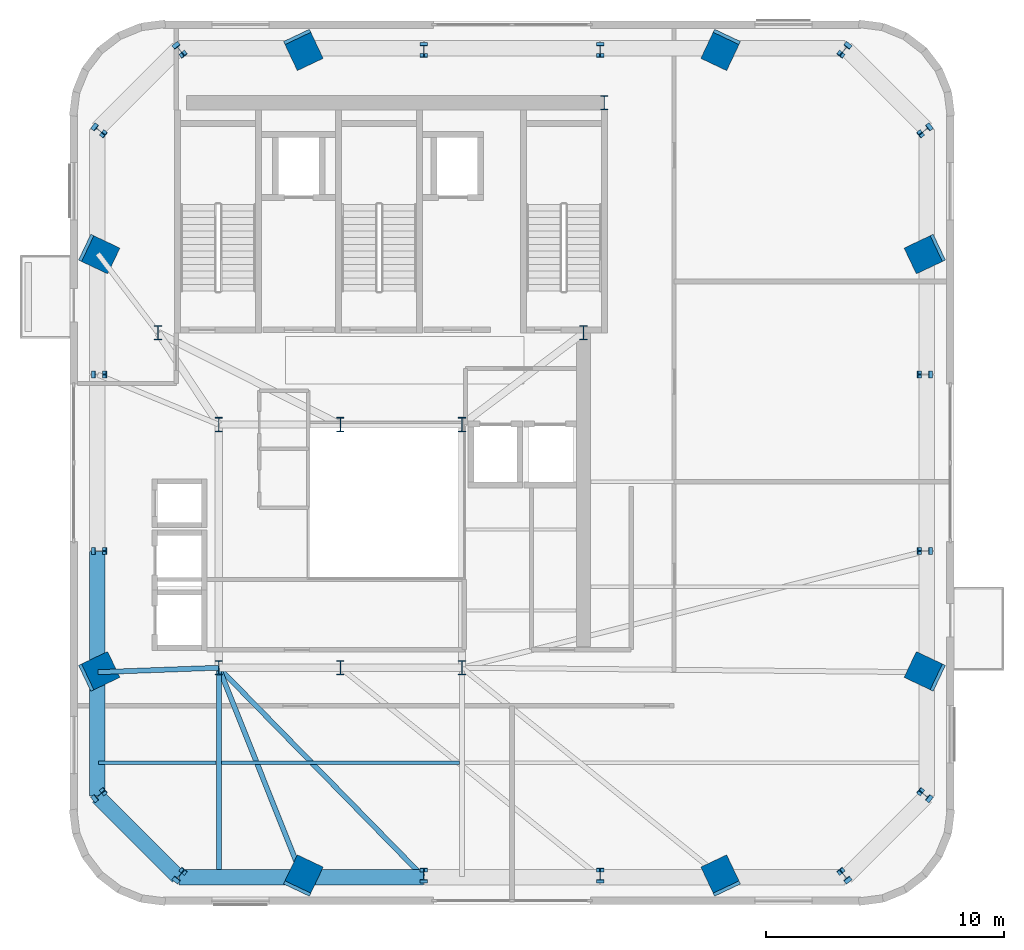
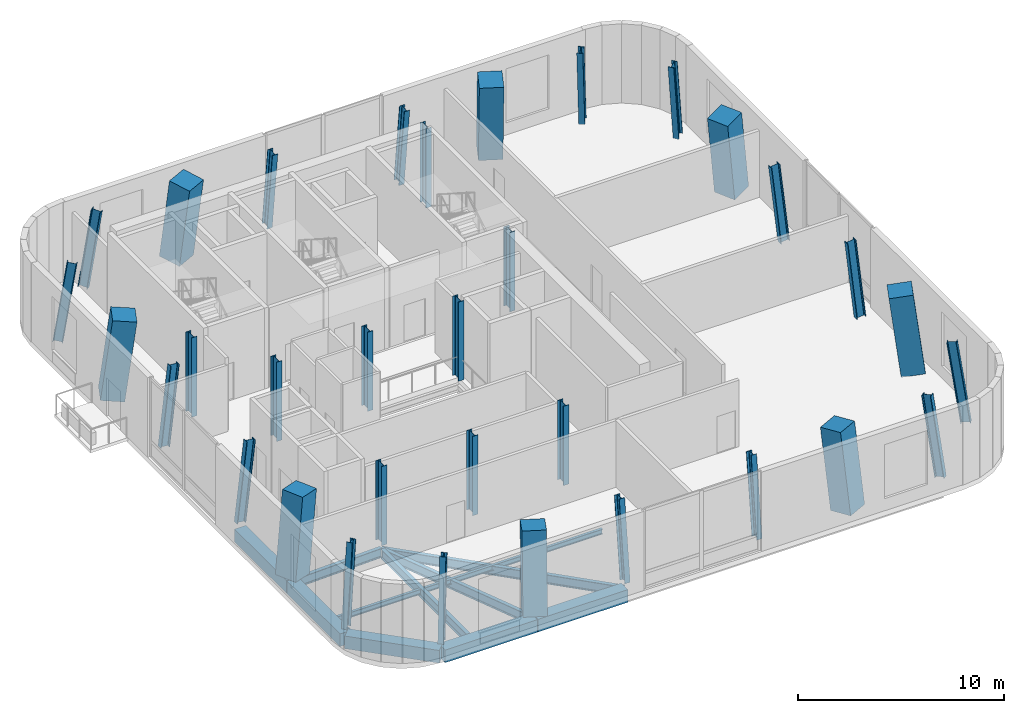
# One storey, part 1 of 10: 33 columns, 11 beams.
"""IFC4 building model written with IfcOpenShell, lengths in metres."""

import ifcopenshell
import ifcopenshell.guid

model = None  # the IFC model being written
_history = None  # IfcOwnerHistory: only IFC2X3 demands one
_inside = {}  # id of a spatial element -> (the spatial element, [elements in it])
_under = {}  # id of a project, library or spatial element -> (it, [spatial elements below it])
_declared = {}  # id of a project -> (the project, [libraries it declares])
_typed = {}  # id of a type object -> (the type object, [elements of that type])
_made_of = {}  # id of a material, layer set ... -> (it, [elements and type objects made of it])


def new_model(schema):
    """Start an empty IFC model of exactly this schema.

    Asked for "IFC4X3", IfcOpenShell would pick the latest addendum, in which some entities
    have other attributes; the version numbers below select the first issue.
    IFC2X3 requires an IfcOwnerHistory on every rooted entity: one is made here for all.
    """
    global model, _history
    if schema == "IFC4X3":
        model = ifcopenshell.file(schema_version=(4, 3, 0, 0))
    else:
        model = ifcopenshell.file(schema=schema)
    _inside.clear()
    _under.clear()
    _declared.clear()
    _typed.clear()
    _made_of.clear()
    _history = None
    if model.schema == "IFC2X3":
        org = make("IfcOrganization", Name="unknown")
        user = make(
            "IfcPersonAndOrganization",
            ThePerson=make("IfcPerson", FamilyName="unknown"),
            TheOrganization=org,
        )
        app = make(
            "IfcApplication",
            ApplicationDeveloper=org,
            Version="unknown",
            ApplicationFullName="unknown",
            ApplicationIdentifier="unknown",
        )
        _history = make(
            "IfcOwnerHistory",
            OwningUser=user,
            OwningApplication=app,
            ChangeAction="ADDED",
            CreationDate=0,
        )
    return model


def make(cls, **values):
    """One entity of the class cls with the attributes given. An attribute that is None is left unset."""
    return model.create_entity(
        cls, **{name: value for name, value in values.items() if value is not None}
    )


def rooted(cls, **values):
    """An entity with a GlobalId (a new one), such as an element, a storey or a relation."""
    return make(cls, GlobalId=ifcopenshell.guid.new(), OwnerHistory=_history, **values)


def si_unit(unit_type, name, prefix=None):
    """IfcSIUnit, for example si_unit("LENGTHUNIT", "METRE", prefix="MILLI")."""
    return make("IfcSIUnit", UnitType=unit_type, Prefix=prefix, Name=name)


def assignment(units):
    """IfcUnitAssignment: the units of a project."""
    return None if units is None else make("IfcUnitAssignment", Units=units)


def point(xyz):
    """IfcCartesianPoint."""
    return None if xyz is None else make("IfcCartesianPoint", Coordinates=xyz)


def direction(xyz):
    """IfcDirection."""
    return None if xyz is None else make("IfcDirection", DirectionRatios=xyz)


def frame(location, z_axis=None, x_axis=None):
    """IfcAxis2Placement3D, a coordinate frame: its origin and axes. An axis left out is left unset."""
    return make(
        "IfcAxis2Placement3D",
        Location=point(location),
        Axis=direction(z_axis),
        RefDirection=direction(x_axis),
    )


def frame_2d(location, x_axis=None):
    """IfcAxis2Placement2D, a coordinate frame in the plane: its origin and x axis."""
    return make(
        "IfcAxis2Placement2D", Location=point(location), RefDirection=direction(x_axis)
    )


def origin():
    """The frame at (0, 0, 0) with its axes left unset."""
    return frame((0.0, 0.0, 0.0))


def origin_2d():
    """The frame at (0, 0) in the plane with its x axis left unset."""
    return frame_2d((0.0, 0.0))


def place(relative_to, where):
    """IfcLocalPlacement: puts the frame where relative to a parent placement (None: the world)."""
    return make(
        "IfcLocalPlacement", PlacementRelTo=relative_to, RelativePlacement=where
    )


def context(
    kind, dimensions, precision=None, world=None, true_north=None, identifier=None
):
    """IfcGeometricRepresentationContext, for example the 3D "Model" context."""
    return make(
        "IfcGeometricRepresentationContext",
        ContextIdentifier=identifier,
        ContextType=kind,
        CoordinateSpaceDimension=dimensions,
        Precision=precision,
        WorldCoordinateSystem=world,
        TrueNorth=true_north,
    )


def subcontext(parent, identifier, kind, view, scale=None):
    """IfcGeometricRepresentationSubContext, for example "Body" below "Model"."""
    return make(
        "IfcGeometricRepresentationSubContext",
        ContextIdentifier=identifier,
        ContextType=kind,
        ParentContext=parent,
        TargetScale=scale,
        TargetView=view,
    )


def project(units=None, contexts=None):
    """IfcProject with its units and contexts."""
    return rooted(
        "IfcProject",
        Name="project",
        RepresentationContexts=contexts,
        UnitsInContext=assignment(units),
    )


def spatial(cls, under=None, at=None, **own):
    """A site, building, storey or space (cls), placed at a placement, below another one or the project."""
    s = rooted(cls, ObjectPlacement=at, **own)
    if under is not None:
        _under.setdefault(under.id(), (under, []))[1].append(s)
    return s


def profile(cls, at=None, kind="AREA", **sizes):
    """A parametric profile (cls). Its sizes go by their IFC names, for example OverallWidth=200.0."""
    return make(cls, ProfileType=kind, Position=at, **sizes)


def rectangle(**sizes):
    """IfcRectangleProfileDef."""
    return profile("IfcRectangleProfileDef", **sizes)


def i_section(**sizes):
    """IfcIShapeProfileDef."""
    return profile("IfcIShapeProfileDef", **sizes)


def extrude(swept, where, along, depth):
    """IfcExtrudedAreaSolid: the profile swept, set in the frame where, extruded along a direction by depth."""
    return make(
        "IfcExtrudedAreaSolid",
        SweptArea=swept,
        Position=where,
        ExtrudedDirection=direction(along),
        Depth=depth,
    )


def shape(context_of_items, identifier, shape_type, items):
    """IfcShapeRepresentation: the items that make up one representation, for example the "Body"."""
    return make(
        "IfcShapeRepresentation",
        ContextOfItems=context_of_items,
        RepresentationIdentifier=identifier,
        RepresentationType=shape_type,
        Items=items,
    )


def source(mapping_origin, context_of_items, identifier, shape_type, items):
    """IfcRepresentationMap: a shape defined once, which mapped items show again and again."""
    return make(
        "IfcRepresentationMap",
        MappingOrigin=mapping_origin,
        MappedRepresentation=shape(context_of_items, identifier, shape_type, items),
    )


def transform(
    local_origin,
    x_axis=None,
    y_axis=None,
    z_axis=None,
    scale=None,
    scale2=None,
    scale3=None,
    uniform=True,
):
    """IfcCartesianTransformationOperator3D, or its non-uniform kind. x_axis, y_axis, z_axis: its Axis1, 2, 3."""
    if uniform:
        return make(
            "IfcCartesianTransformationOperator3D",
            Axis1=direction(x_axis),
            Axis2=direction(y_axis),
            LocalOrigin=point(local_origin),
            Scale=scale,
            Axis3=direction(z_axis),
        )
    return make(
        "IfcCartesianTransformationOperator3DnonUniform",
        Axis1=direction(x_axis),
        Axis2=direction(y_axis),
        LocalOrigin=point(local_origin),
        Scale=scale,
        Axis3=direction(z_axis),
        Scale2=scale2,
        Scale3=scale3,
    )


def mapped(mapping_source, mapping_target):
    """IfcMappedItem: shows the shape of a source again, moved by a transform."""
    return make(
        "IfcMappedItem", MappingSource=mapping_source, MappingTarget=mapping_target
    )


def material(Name=None, Category=None):
    """IfcMaterial."""
    return make("IfcMaterial", Name=Name, Category=Category)


def material_profile(
    of_material, cross_section, Name=None, Category=None, Priority=None
):
    """IfcMaterialProfile: a cross section and its material."""
    return make(
        "IfcMaterialProfile",
        Name=Name,
        Material=of_material,
        Profile=cross_section,
        Priority=Priority,
        Category=Category,
    )


def profile_set(profiles, Name=None, composite=None):
    """IfcMaterialProfileSet."""
    return make(
        "IfcMaterialProfileSet",
        Name=Name,
        MaterialProfiles=profiles,
        CompositeProfile=composite,
    )


def made_of(thing, what):
    """Note that an element or type object is made of a material, layer set ...; save() writes the relation."""
    if what is not None:
        _made_of.setdefault(what.id(), (what, []))[1].append(thing)
    return thing


def type_object(cls, material=None, **own):
    """A type object (cls), such as IfcWallType, which elements share."""
    return made_of(rooted(cls, **own), material)


def element(
    cls,
    number,
    at=None,
    inside=None,
    cuts=None,
    type_object=None,
    material=None,
    context=None,
    identifier="Body",
    shape_type=None,
    held_by="IfcProductDefinitionShape",
    body=None,
    shapes=None,
    **own,
):
    """One element of the class cls, such as IfcWall. Its Tag is "e" and its number.

    at: its placement. inside: the storey or other place that contains it. cuts: it is an
    opening in that element (IfcRelVoidsElement). A single representation is given by context,
    identifier, shape_type and body (its items); several are given by shapes. held_by: the class
    of the entity that holds the representations. save() writes the other relations.
    """
    e = rooted(cls, Tag="e%d" % number, ObjectPlacement=at, **own)
    if body is not None:
        shapes = [shape(context, identifier, shape_type, body)]
    if shapes is not None:
        e.Representation = make(held_by, Representations=shapes)
    if inside is not None:
        _inside.setdefault(inside.id(), (inside, []))[1].append(e)
    if cuts is not None:
        rooted(
            "IfcRelVoidsElement", RelatingBuildingElement=cuts, RelatedOpeningElement=e
        )
    if type_object is not None:
        _typed.setdefault(type_object.id(), (type_object, []))[1].append(e)
    return made_of(e, material)


def aggregate(whole, parts):
    """IfcRelAggregates: a whole, such as a stair, and the parts it consists of."""
    return rooted("IfcRelAggregates", RelatingObject=whole, RelatedObjects=parts)


def save(model, path):
    """Write the relations noted so far, then the file.

    IfcRelAggregates (storeys below a building ...), IfcRelContainedInSpatialStructure (elements
    in a storey), IfcRelDefinesByType, IfcRelAssociatesMaterial and IfcRelDeclares: one each for
    every whole, place, type object, material and project.
    """
    for whole, parts in _under.values():
        aggregate(whole, parts)
    for where, things in _inside.values():
        rooted(
            "IfcRelContainedInSpatialStructure",
            RelatedElements=things,
            RelatingStructure=where,
        )
    for kind, things in _typed.values():
        rooted("IfcRelDefinesByType", RelatedObjects=things, RelatingType=kind)
    for what, things in _made_of.values():
        rooted("IfcRelAssociatesMaterial", RelatedObjects=things, RelatingMaterial=what)
    for by, libraries in _declared.values():
        rooted("IfcRelDeclares", RelatingContext=by, RelatedDefinitions=libraries)
    model.write(path)


model = new_model("IFC4")

# Units and contexts
model_context = context("Model", 3, precision=1e-05, world=origin(), true_north=direction((0.0, 1.0)))
body_context = subcontext(model_context, "Body", "Model", "MODEL_VIEW")
ifc_project = project(units=[si_unit("LENGTHUNIT", "METRE"), si_unit("AREAUNIT", "SQUARE_METRE"), si_unit("VOLUMEUNIT", "CUBIC_METRE"), si_unit("PLANEANGLEUNIT", "RADIAN"), si_unit("MASSUNIT", "GRAM", prefix="KILO")], contexts=[model_context])

# Site, building, storey
site_placement = place(None, origin())
site = spatial("IfcSite", under=ifc_project, at=site_placement, CompositionType="ELEMENT")
building_placement = place(site_placement, origin())
building = spatial("IfcBuilding", under=site, at=building_placement, Name="Vardaveli Station Tower", CompositionType="ELEMENT")
storey_placement = place(building_placement, frame((0.0, 0.0, 291.14990234375)))
storey = spatial("IfcBuildingStorey", under=building, at=storey_placement, Name="L74", CompositionType="ELEMENT", Elevation=291.14990234375)

# Columns
ifc_material_1 = material(Name="Structural steel S460M", Category="steel")
ifc_material_profile_1 = material_profile(ifc_material_1, i_section(OverallWidth=0.300048828125, OverallDepth=0.60009765625, WebThickness=0.015380859375, FlangeThickness=0.030029296875, FilletRadius=0.027099609375, at=origin_2d()), Name="HEB 600")
ifc_profile_set_1 = profile_set([ifc_material_profile_1], Name="Structural steel S460M")
column_type_1 = type_object("IfcColumnType", Name="COL-HEB600", PredefinedType="COLUMN", material=ifc_profile_set_1)
shared_shape_1 = source(origin(), body_context, "Body", "SweptSolid", [
    extrude(i_section(OverallWidth=0.300048828125, OverallDepth=0.60009765625, WebThickness=0.015380859375, FlangeThickness=0.030029296875, FilletRadius=0.027099609375, at=origin_2d()), origin(), (0.0, 0.0, 1.0), 4.7001953125),
])
for number, where, z_axis, x_axis, name in (
    (1, (31.199951171875, 16.60009765625, 0.0), (0.0, 0.0, 1.0), (1.0, 0.0, 0.0), "COL-L74-AC1"),
    (2, (36.300048828125, 16.60009765625, 0.0), (0.0, 0.0, 1.0), (1.0, 0.0, 0.0), "COL-L74-AC2"),
    (3, (41.39990234375, 16.60009765625, 0.0), (0.0, 0.0, 1.0), (1.0, 0.0, 0.0), "COL-L74-AC3"),
    (4, (41.39990234375, 26.800048828125, 0.0), (0.0, 0.0, 1.0), (1.0, 0.0, 0.0), "COL-L74-AC4"),
    (5, (36.300048828125, 26.800048828125, 0.0), (0.0, 0.0, 1.0), (1.0, 0.0, 0.0), "COL-L74-AC5"),
    (6, (31.199951171875, 26.800048828125, 0.0), (0.0, 0.0, 1.0), (1.0, 0.0, 0.0), "COL-L74-AC6"),
    (7, (28.64990234375, 30.64990234375, 0.0), (0.0, 0.0, 1.0), (1.0, 0.0, 0.0), "COL-L74-CC1"),
    (8, (46.5, 30.64990234375, 0.0), (0.0, 0.0, 1.0), (1.0, 0.0, 0.0), "COL-L74-CC2"),
    (9, (47.3701171875, 40.300048828125, 0.0), (0.0, 0.0, 1.0), (1.0, 0.0, 0.0), "COL-L74-CC3"),
):
    element("IfcColumn", number, at=place(storey_placement, frame(where, z_axis=z_axis, x_axis=x_axis)), inside=storey, type_object=column_type_1, Name=name, PredefinedType="COLUMN", context=body_context, shape_type="MappedRepresentation", body=[
        mapped(shared_shape_1, transform((0.0, 0.0, 0.0), scale=1.0)),
    ])
ifc_material_2 = material(Name="Concrete C50/60", Category="concrete")
ifc_material_profile_2 = material_profile(ifc_material_2, rectangle(XDim=1.199951171875, YDim=1.199951171875, at=origin_2d()), Name="MC 1200x1200")
ifc_profile_set_2 = profile_set([ifc_material_profile_2], Name="Concrete C50/60")
column_type_2 = type_object("IfcColumnType", Name="COL-MC-1200", PredefinedType="COLUMN", material=ifc_profile_set_2)
shared_shape_2 = source(origin(), body_context, "Body", "SweptSolid", [
    extrude(rectangle(XDim=1.199951171875, YDim=1.199951171875, at=origin_2d()), origin(), (0.0, 0.0, 1.0), 4.738037109375),
])
for number, where, z_axis, x_axis, name in (
    (10, (34.7119140625, 7.81005859375, 0.0), (0.054052575301, 0.113979310359, 0.992011610775), (-0.903546449333, 0.428490156126, 0.0), "COL-L74-MC1"),
    (11, (52.2880859375, 7.81005859375, 0.0), (-0.054052575301, 0.113979310359, 0.992011610775), (-0.903546449333, -0.428490156126, 0.0), "COL-L74-MC2"),
    (12, (60.889892578125, 16.411865234375, 0.0), (-0.113928451605, 0.054052892688, 0.992017435687), (-0.428648353392, -0.903471410247, 0.0), "COL-L74-MC3"),
    (13, (60.889892578125, 33.98828125, 0.0), (-0.113928134137, -0.054104269943, 0.992014671376), (0.428981810806, -0.903313127325, 0.0), "COL-L74-MC4"),
    (14, (52.2880859375, 42.590087890625, 0.0), (-0.054052575301, -0.113979310359, 0.992011610775), (0.903546449333, -0.428490156126, 0.0), "COL-L74-MC5"),
    (15, (34.7119140625, 42.590087890625, 0.0), (0.054052575301, -0.113979310359, 0.992011610775), (0.903546449333, 0.428490156126, 0.0), "COL-L74-MC6"),
    (16, (26.110107421875, 33.98828125, 0.0), (0.113928134137, -0.054104269943, 0.992014671376), (0.428981810806, 0.903313127325, 0.0), "COL-L74-MC7"),
    (17, (26.110107421875, 16.411865234375, 0.0), (0.113928451605, 0.054052892688, 0.992017435687), (-0.428648353392, 0.903471410247, 0.0), "COL-L74-MC8"),
):
    element("IfcColumn", number, at=place(storey_placement, frame(where, z_axis=z_axis, x_axis=x_axis)), inside=storey, type_object=column_type_2, Name=name, PredefinedType="COLUMN", context=body_context, shape_type="MappedRepresentation", body=[
        mapped(shared_shape_2, transform((0.0, 0.0, 0.0), scale=1.0)),
    ])
ifc_material_3 = material(Name="Structural steel S355J2", Category="steel")
ifc_material_profile_3 = material_profile(ifc_material_3, i_section(OverallWidth=0.300048828125, OverallDepth=0.5, WebThickness=0.014404296875, FlangeThickness=0.028076171875, FilletRadius=0.027099609375, at=origin_2d()), Name="HEB 500")
ifc_profile_set_3 = profile_set([ifc_material_profile_3], Name="Structural steel S355J2")
column_type_3 = type_object("IfcColumnType", Name="COL-HEB500", PredefinedType="COLUMN", material=ifc_profile_set_3)
shared_shape_3 = source(origin(), body_context, "Body", "SweptSolid", [
    extrude(i_section(OverallWidth=0.300048828125, OverallDepth=0.5, WebThickness=0.014404296875, FlangeThickness=0.028076171875, FilletRadius=0.027099609375, at=origin_2d()), origin(), (0.0, 0.0, 1.0), 4.750244140625),
])
for number, where, z_axis, x_axis, name in (
    (18, (29.5029296875, 7.81005859375, 0.0), (0.089888557106, 0.113684098524, 0.989442253517), (-0.784419603895, 0.620230509589, 0.0), "COL-L74-PC01"),
    (19, (57.4970703125, 7.81005859375, 0.0), (-0.089888557106, 0.113684098524, 0.989442253517), (-0.784419603895, -0.620230509589, 0.0), "COL-L74-PC04"),
    (20, (60.889892578125, 11.202880859375, 0.0), (-0.113633368044, 0.089889082184, 0.989448033285), (-0.620403072684, -0.784283129619, 0.0), "COL-L74-PC05"),
    (21, (60.889892578125, 39.197021484375, 0.0), (-0.113633368044, -0.089889082184, 0.989448033285), (0.620403072684, -0.784283129619, 0.0), "COL-L74-PC08"),
    (22, (57.4970703125, 42.590087890625, 0.0), (-0.089888557106, -0.113684098524, 0.989442253517), (0.784419603895, -0.620230509589, 0.0), "COL-L74-PC09"),
    (23, (29.5029296875, 42.590087890625, 0.0), (0.089888557106, -0.113684098524, 0.989442253517), (0.784419603895, 0.620230509589, 0.0), "COL-L74-PC12"),
    (24, (26.110107421875, 39.197021484375, 0.0), (0.113633368044, -0.089889082184, 0.989448033285), (0.620403072684, 0.784283129619, 0.0), "COL-L74-PC13"),
    (25, (26.110107421875, 11.202880859375, 0.0), (0.113633368044, 0.089889082184, 0.989448033285), (-0.620403072684, 0.784283129619, 0.0), "COL-L74-PC16"),
):
    element("IfcColumn", number, at=place(storey_placement, frame(where, z_axis=z_axis, x_axis=x_axis)), inside=storey, type_object=column_type_3, Name=name, PredefinedType="COLUMN", context=body_context, shape_type="MappedRepresentation", body=[
        mapped(shared_shape_3, transform((0.0, 0.0, 0.0), scale=1.0)),
    ])
shared_shape_4 = source(origin(), body_context, "Body", "SweptSolid", [
    extrude(i_section(OverallWidth=0.300048828125, OverallDepth=0.5, WebThickness=0.014404296875, FlangeThickness=0.028076171875, FilletRadius=0.027099609375, at=origin_2d()), origin(), (0.0, 0.0, 1.0), 4.731201171875),
])
for number, where, z_axis, x_axis, name in (
    (26, (39.800048828125, 7.81005859375, 0.0), (0.0, 0.114146181694, 0.993463964724), (-1.0, 0.0, 0.0), "COL-L74-PC02"),
    (27, (47.199951171875, 7.81005859375, 0.0), (0.0, 0.114146181694, 0.993463964724), (-1.0, 0.0, 0.0), "COL-L74-PC03"),
    (28, (60.889892578125, 21.5, 0.0), (-0.114095250443, 0.0, 0.993469815257), (0.0, -1.0, 0.0), "COL-L74-PC06"),
    (29, (60.889892578125, 28.89990234375, 0.0), (-0.114095250443, 0.0, 0.993469815257), (0.0, -1.0, 0.0), "COL-L74-PC07"),
    (30, (47.199951171875, 42.590087890625, 0.0), (0.0, -0.114146181694, 0.993463964724), (1.0, 0.0, 0.0), "COL-L74-PC10"),
    (31, (39.800048828125, 42.590087890625, 0.0), (0.0, -0.114146181694, 0.993463964724), (1.0, 0.0, 0.0), "COL-L74-PC11"),
    (32, (26.110107421875, 28.89990234375, 0.0), (0.114095250443, 0.0, 0.993469815257), (0.0, 1.0, 0.0), "COL-L74-PC14"),
    (33, (26.110107421875, 21.5, 0.0), (0.114095250443, 0.0, 0.993469815257), (0.0, 1.0, 0.0), "COL-L74-PC15"),
):
    element("IfcColumn", number, at=place(storey_placement, frame(where, z_axis=z_axis, x_axis=x_axis)), inside=storey, type_object=column_type_3, Name=name, PredefinedType="COLUMN", context=body_context, shape_type="MappedRepresentation", body=[
        mapped(shared_shape_4, transform((0.0, 0.0, 0.0), scale=1.0)),
    ])

# Beams
ifc_material_profile_4 = material_profile(ifc_material_3, i_section(OverallWidth=0.14990234375, OverallDepth=0.300048828125, WebThickness=0.007080078125, FlangeThickness=0.0107421875, FilletRadius=0.014892578125, at=origin_2d()), Name="IPE 300")
ifc_profile_set_4 = profile_set([ifc_material_profile_4], Name="Structural steel S355J2")
beam_type_1 = type_object("IfcBeamType", Name="BM-IPE300", PredefinedType="JOIST", material=ifc_profile_set_4)
shared_shape_5 = source(origin(), body_context, "Body", "SweptSolid", [
    extrude(i_section(OverallWidth=0.14990234375, OverallDepth=0.300048828125, WebThickness=0.007080078125, FlangeThickness=0.0107421875, FilletRadius=0.014892578125, at=origin_2d()), origin(), (0.0, 0.0, 1.0), 9.97607421875),
])
beam_1_placement = place(storey_placement, frame((31.31201171875, 12.610107421875, -0.449951171875), z_axis=(1.0, 0.0, 0.0), x_axis=(0.0, 1.0, 0.0)))
element("IfcBeam", 34, at=beam_1_placement, inside=storey, type_object=beam_type_1, Name="SJ-L74-S02", PredefinedType="JOIST", context=body_context, shape_type="MappedRepresentation", body=[
    mapped(shared_shape_5, transform((0.0, 0.0, 0.0), scale=1.0)),
])
ifc_material_4 = material(Name="Precast concrete C45/55", Category="concrete")
ifc_material_profile_5 = material_profile(ifc_material_4, rectangle(XDim=0.64990234375, YDim=0.75, at=origin_2d()), Name="LPB 650x750")
ifc_profile_set_5 = profile_set([ifc_material_profile_5], Name="Precast concrete C45/55")
beam_type_2 = type_object("IfcBeamType", Name="BM-LPB-750", PredefinedType="BEAM", material=ifc_profile_set_5)
shared_shape_6 = source(origin(), body_context, "Body", "SweptSolid", [
    extrude(rectangle(XDim=0.64990234375, YDim=0.75, at=origin_2d()), origin(), (0.0, 0.0, 1.0), 5.04833984375),
])
beam_2_placement = place(storey_placement, frame((34.731689453125, 7.81005859375, -0.6748046875), z_axis=(1.0, 0.0, 0.0), x_axis=(0.0, 1.0, 0.0)))
element("IfcBeam", 35, at=beam_2_placement, inside=storey, type_object=beam_type_2, Name="RBM-L74-01", PredefinedType="BEAM", context=body_context, shape_type="MappedRepresentation", body=[
    mapped(shared_shape_6, transform((0.0, 0.0, 0.0), scale=1.0)),
])
shared_shape_7 = source(origin(), body_context, "Body", "SweptSolid", [
    extrude(rectangle(XDim=0.64990234375, YDim=0.75, at=origin_2d()), origin(), (0.0, 0.0, 1.0), 5.1689453125),
])
for number, where, z_axis, x_axis, name in (
    (36, (26.110107421875, 16.391845703125, -0.6748046875), (0.0, -1.0, 0.0), (1.0, 0.0, 0.0), "RBM-L74-22"),
    (37, (29.52294921875, 7.81005859375, -0.6748046875), (1.0, 0.0, 0.0), (0.0, 1.0, 0.0), "RBM-L74-24"),
):
    element("IfcBeam", number, at=place(storey_placement, frame(where, z_axis=z_axis, x_axis=x_axis)), inside=storey, type_object=beam_type_2, Name=name, PredefinedType="BEAM", context=body_context, shape_type="MappedRepresentation", body=[
        mapped(shared_shape_7, transform((0.0, 0.0, 0.0), scale=1.0)),
    ])
shared_shape_8 = source(origin(), body_context, "Body", "SweptSolid", [
    extrude(rectangle(XDim=0.64990234375, YDim=0.75, at=origin_2d()), origin(), (0.0, 0.0, 1.0), 4.758544921875),
])
beam_3_placement = place(storey_placement, frame((26.1240234375, 11.18896484375, -0.6748046875), z_axis=(0.707106781187, -0.707106781187, 0.0), x_axis=(0.707106781187, 0.707106781187, 0.0)))
element("IfcBeam", 38, at=beam_3_placement, inside=storey, type_object=beam_type_2, Name="RBM-L74-23", PredefinedType="BEAM", context=body_context, shape_type="MappedRepresentation", body=[
    mapped(shared_shape_8, transform((0.0, 0.0, 0.0), scale=1.0)),
])
shared_shape_9 = source(origin(), body_context, "Body", "SweptSolid", [
    extrude(rectangle(XDim=0.64990234375, YDim=0.75, at=origin_2d()), origin(), (0.0, 0.0, 1.0), 5.048095703125),
])
beam_4_placement = place(storey_placement, frame((26.110107421875, 21.47998046875, -0.6748046875), z_axis=(0.0, -1.0, 0.0), x_axis=(1.0, 0.0, 0.0)))
element("IfcBeam", 39, at=beam_4_placement, inside=storey, type_object=beam_type_2, Name="RBM-L74-21", PredefinedType="BEAM", context=body_context, shape_type="MappedRepresentation", body=[
    mapped(shared_shape_9, transform((0.0, 0.0, 0.0), scale=1.0)),
])
ifc_material_profile_6 = material_profile(ifc_material_3, i_section(OverallWidth=0.2099609375, OverallDepth=0.550048828125, WebThickness=0.010986328125, FlangeThickness=0.01708984375, FilletRadius=0.02392578125, at=origin_2d()), Name="IPE 550")
ifc_profile_set_6 = profile_set([ifc_material_profile_6], Name="Structural steel S355J2")
beam_type_3 = type_object("IfcBeamType", Name="BM-IPE550", PredefinedType="BEAM", material=ifc_profile_set_6)
shared_shape_10 = source(origin(), body_context, "Body", "SweptSolid", [
    extrude(i_section(OverallWidth=0.2099609375, OverallDepth=0.550048828125, WebThickness=0.010986328125, FlangeThickness=0.01708984375, FilletRadius=0.02392578125, at=origin_2d()), origin(), (0.0, 0.0, 1.0), 9.425537109375),
])
beam_5_placement = place(storey_placement, frame((34.704345703125, 7.82861328125, -0.574951171875), z_axis=(-0.370993181848, 0.928635590004, 0.0), x_axis=(-0.928635590004, -0.370993181848, 0.0)))
element("IfcBeam", 40, at=beam_5_placement, inside=storey, type_object=beam_type_3, Name="GBM-L74-01", PredefinedType="BEAM", context=body_context, shape_type="MappedRepresentation", body=[
    mapped(shared_shape_10, transform((0.0, 0.0, 0.0), scale=1.0)),
])
shared_shape_11 = source(origin(), body_context, "Body", "SweptSolid", [
    extrude(i_section(OverallWidth=0.2099609375, OverallDepth=0.550048828125, WebThickness=0.010986328125, FlangeThickness=0.01708984375, FilletRadius=0.02392578125, at=origin_2d()), origin(), (0.0, 0.0, 1.0), 12.257568359375),
])
beam_6_placement = place(storey_placement, frame((39.7861328125, 7.82421875, -0.574951171875), z_axis=(-0.699346590583, 0.714782726596, 0.0), x_axis=(-0.714782726596, -0.699346590583, 0.0)))
element("IfcBeam", 41, at=beam_6_placement, inside=storey, type_object=beam_type_3, Name="GBM-L74-02", PredefinedType="BEAM", context=body_context, shape_type="MappedRepresentation", body=[
    mapped(shared_shape_11, transform((0.0, 0.0, 0.0), scale=1.0)),
])
shared_shape_12 = source(origin(), body_context, "Body", "SweptSolid", [
    extrude(i_section(OverallWidth=0.2099609375, OverallDepth=0.550048828125, WebThickness=0.010986328125, FlangeThickness=0.01708984375, FilletRadius=0.02392578125, at=origin_2d()), origin(), (0.0, 0.0, 1.0), 5.053466796875),
])
beam_7_placement = place(storey_placement, frame((26.1298828125, 16.41259765625, -0.574951171875), z_axis=(0.99931681772, 0.036958054898, 0.0), x_axis=(-0.036958054898, 0.99931681772, 0.0)))
element("IfcBeam", 42, at=beam_7_placement, inside=storey, type_object=beam_type_3, Name="GBM-L74-10", PredefinedType="BEAM", context=body_context, shape_type="MappedRepresentation", body=[
    mapped(shared_shape_12, transform((0.0, 0.0, 0.0), scale=1.0)),
])
shared_shape_13 = source(origin(), body_context, "Body", "SweptSolid", [
    extrude(i_section(OverallWidth=0.2099609375, OverallDepth=0.550048828125, WebThickness=0.010986328125, FlangeThickness=0.01708984375, FilletRadius=0.02392578125, at=origin_2d()), origin(), (0.0, 0.0, 1.0), 8.60986328125),
])
beam_8_placement = place(storey_placement, frame((31.199951171875, 7.85009765625, -0.574951171875), z_axis=(0.0, 1.0, 0.0), x_axis=(-1.0, 0.0, 0.0)))
element("IfcBeam", 43, at=beam_8_placement, inside=storey, type_object=beam_type_3, Name="NSM-L74-S1", PredefinedType="BEAM", context=body_context, shape_type="MappedRepresentation", body=[
    mapped(shared_shape_13, transform((0.0, 0.0, 0.0), scale=1.0)),
])
shared_shape_14 = source(origin(), body_context, "Body", "SweptSolid", [
    extrude(i_section(OverallWidth=0.14990234375, OverallDepth=0.300048828125, WebThickness=0.007080078125, FlangeThickness=0.0107421875, FilletRadius=0.014892578125, at=origin_2d()), origin(), (0.0, 0.0, 1.0), 4.93798828125),
])
beam_9_placement = place(storey_placement, frame((26.14990234375, 12.610107421875, -0.449951171875), z_axis=(1.0, 0.0, 0.0), x_axis=(0.0, 1.0, 0.0)))
element("IfcBeam", 44, at=beam_9_placement, inside=storey, type_object=beam_type_1, Name="SJ-L74-S01", PredefinedType="JOIST", context=body_context, shape_type="MappedRepresentation", body=[
    mapped(shared_shape_14, transform((0.0, 0.0, 0.0), scale=1.0)),
])

save(model, "model.ifc")
